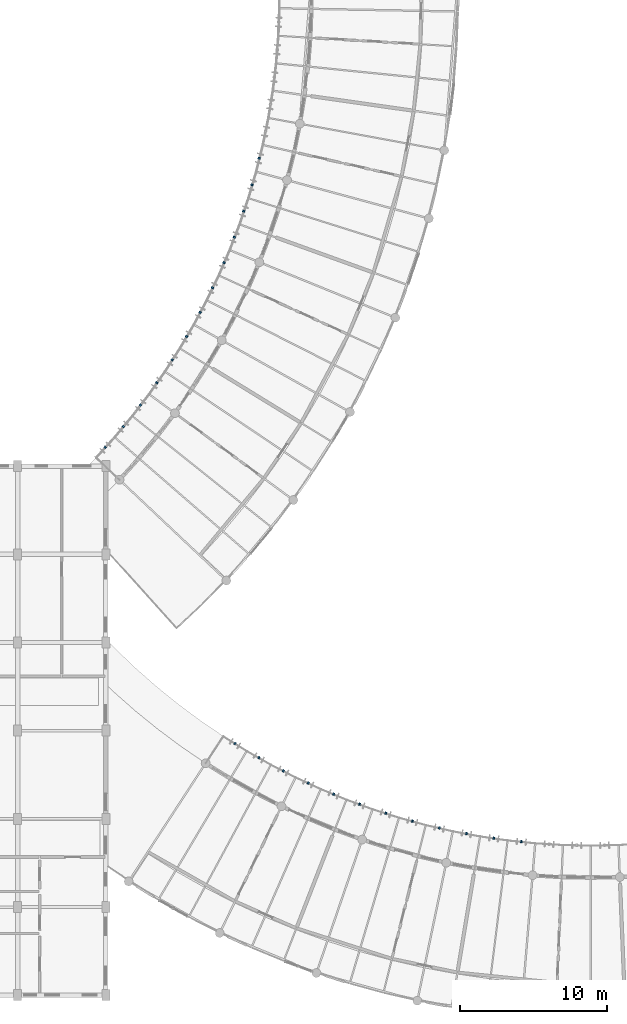
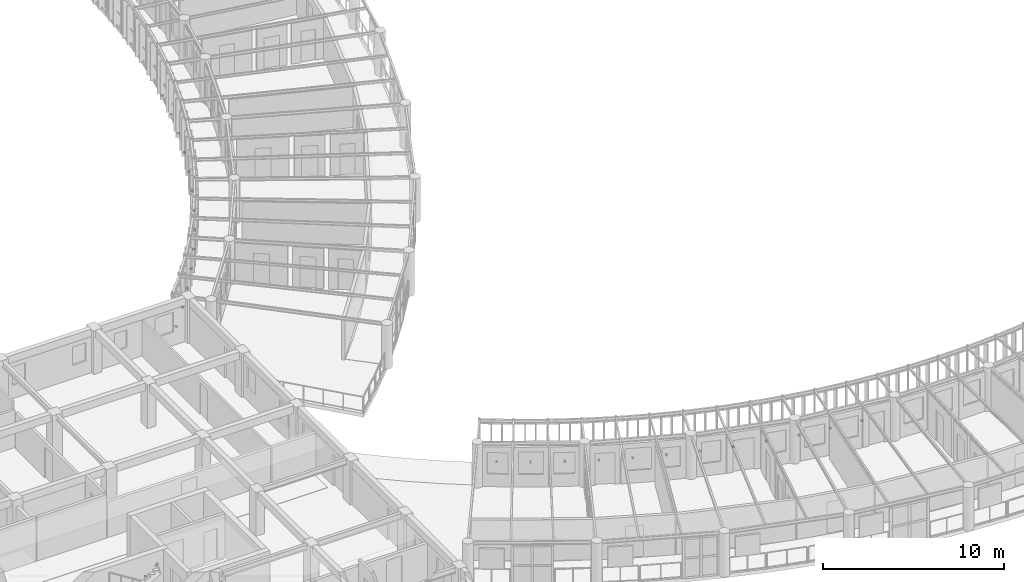
# One storey, part 83 of 100: 25 discrete accessories.
"""IFC4 building model written with IfcOpenShell, lengths in metres."""

from ifc_helpers import new_model, si_unit, direction, frame, origin, origin_2d, place, context, subcontext, project, spatial, rectangle, extrude, material, type_object, element, save


model = new_model("IFC4")

# Units and contexts
model_context = context("Model", 3, precision=1e-05, world=origin(), true_north=direction((0.0, 1.0)))
body_context = subcontext(model_context, "Body", "Model", "MODEL_VIEW")
ifc_project = project(units=[si_unit("LENGTHUNIT", "METRE"), si_unit("AREAUNIT", "SQUARE_METRE"), si_unit("VOLUMEUNIT", "CUBIC_METRE"), si_unit("PLANEANGLEUNIT", "RADIAN"), si_unit("MASSUNIT", "GRAM", prefix="KILO"), si_unit("POWERUNIT", "WATT"), si_unit("THERMODYNAMICTEMPERATUREUNIT", "KELVIN")], contexts=[model_context])

# Site, building, storey
site_placement = place(None, origin())
site = spatial("IfcSite", under=ifc_project, at=site_placement, CompositionType="ELEMENT")
building_placement = place(site_placement, origin())
building = spatial("IfcBuilding", under=site, at=building_placement, Name="Ruvembo Vaulted Housing Court", CompositionType="ELEMENT")
storey_placement = place(building_placement, frame((0.0, 0.0, 14.10009765625)))
storey = spatial("IfcBuildingStorey", under=building, at=storey_placement, Name="L04", CompositionType="ELEMENT", Elevation=14.10009765625)

# Discrete accessories
ifc_material = material(Name="Stainless Steel Grade 316", Category="steel")
discrete_accessory_type = type_object("IfcDiscreteAccessoryType", Name="ACC-BRACKET-SS", PredefinedType="BRACKET", material=ifc_material)
for number, where, z_axis, x_axis, name in (
    (1, (35.958984375, 43.282958984375, 0.02978515625), (0.0, 0.0, 1.0), (0.741601288413, -0.670840911859, 0.0), "Stainless Louvre Rail Bracket #58"),
    (2, (37.18896484375, 44.69970703125, 0.02978515625), (0.0, 0.0, 1.0), (0.768495749762, -0.63985489183, 0.0), "Stainless Louvre Rail Bracket #59"),
    (3, (38.359619140625, 46.166015625, 0.02978515625), (0.0, 0.0, 1.0), (0.794043447551, -0.607861006646, 0.0), "Stainless Louvre Rail Bracket #60"),
    (4, (39.46923828125, 47.6787109375, 0.02978515625), (0.0, 0.0, 1.0), (0.818280160918, -0.574819604962, 0.0), "Stainless Louvre Rail Bracket #61"),
    (5, (40.51611328125, 49.23583984375, 0.02978515625), (0.0, 0.0, 1.0), (0.841114539051, -0.540857034896, 0.0), "Stainless Louvre Rail Bracket #62"),
    (6, (41.498291015625, 50.83447265625, 0.02978515625), (0.0, 0.0, 1.0), (0.862619633753, -0.505853108583, 0.0), "Stainless Louvre Rail Bracket #63"),
    (7, (42.4140625, 52.471923828125, 0.02978515625), (0.0, 0.0, 1.0), (0.882586804261, -0.470149479362, 0.0), "Stainless Louvre Rail Bracket #64"),
    (8, (43.26220703125, 54.145751953125, 0.02978515625), (0.0, 0.0, 1.0), (0.901099726423, -0.433611903711, 0.0), "Stainless Louvre Rail Bracket #65"),
    (9, (44.040771484375, 55.852783203125, 0.02978515625), (0.0, 0.0, 1.0), (0.918121604514, -0.396298775325, 0.0), "Stainless Louvre Rail Bracket #66"),
    (10, (44.7490234375, 57.590087890625, 0.02978515625), (0.0, 0.0, 1.0), (0.933567916527, -0.358400537432, 0.0), "Stainless Louvre Rail Bracket #67"),
    (11, (45.385498046875, 59.355224609375, 0.02978515625), (0.0, 0.0, 1.0), (0.947472959386, -0.319835881714, 0.0), "Stainless Louvre Rail Bracket #68"),
    (12, (45.948974609375, 61.144775390625, 0.02978515625), (0.0, 0.0, 1.0), (0.959790594985, -0.280716963824, 0.0), "Stainless Louvre Rail Bracket #69"),
    (13, (46.438720703125, 62.9560546875, 0.02978515625), (0.0, 0.0, 1.0), (0.970481222826, -0.241176690711, 0.0), "Stainless Louvre Rail Bracket #70"),
    (14, (44.79638671875, 23.129150390625, 0.02978515625), (0.0, 0.0, 1.0), (-0.528556868381, -0.848897895443, 0.0), "Stainless Louvre Rail Bracket #180"),
    (15, (46.420166015625, 22.1640625, 0.02978515625), (0.0, 0.0, 1.0), (-0.493106983922, -0.86996867898, 0.0), "Stainless Louvre Rail Bracket #181"),
    (16, (48.082275390625, 21.266845703125, 0.02978515625), (0.0, 0.0, 1.0), (-0.456849537333, -0.889543984432, 0.0), "Stainless Louvre Rail Bracket #182"),
    (17, (49.780029296875, 20.438720703125, 0.02978515625), (0.0, 0.0, 1.0), (-0.419737248448, -0.90764565898, 0.0), "Stainless Louvre Rail Bracket #183"),
    (18, (51.510498046875, 19.681396484375, 0.02978515625), (0.0, 0.0, 1.0), (-0.381957701122, -0.924179806398, 0.0), "Stainless Louvre Rail Bracket #184"),
    (19, (53.2705078125, 18.99609375, 0.02978515625), (0.0, 0.0, 1.0), (-0.343512177766, -0.939148222447, 0.0), "Stainless Louvre Rail Bracket #185"),
    (20, (55.0576171875, 18.384033203125, 0.02978515625), (0.0, 0.0, 1.0), (-0.304448708958, -0.952528731122, 0.0), "Stainless Louvre Rail Bracket #186"),
    (21, (56.8681640625, 17.84619140625, 0.02978515625), (0.0, 0.0, 1.0), (-0.264983965035, -0.96425281865, 0.0), "Stainless Louvre Rail Bracket #187"),
    (22, (58.699462890625, 17.38330078125, 0.02978515625), (0.0, 0.0, 1.0), (-0.224951054344, -0.974370064785, 0.0), "Stainless Louvre Rail Bracket #188"),
    (23, (60.54833984375, 16.996337890625, 0.02978515625), (0.0, 0.0, 1.0), (-0.184568910756, -0.982819575091, 0.0), "Stainless Louvre Rail Bracket #189"),
    (24, (62.41162109375, 16.686279296875, 0.02978515625), (0.0, 0.0, 1.0), (-0.143872610257, -0.989596216655, 0.0), "Stainless Louvre Rail Bracket #190"),
    (25, (64.285888671875, 16.452880859375, 0.02978515625), (0.0, 0.0, 1.0), (-0.102948783072, -0.994686658232, 0.0), "Stainless Louvre Rail Bracket #191"),
):
    element("IfcDiscreteAccessory", number, at=place(storey_placement, frame(where, z_axis=z_axis, x_axis=x_axis)), inside=storey, type_object=discrete_accessory_type, Name=name, PredefinedType="BRACKET", context=body_context, shape_type="SweptSolid", body=[
        extrude(rectangle(XDim=0.159912109375, YDim=0.1201171875, at=origin_2d()), origin(), (0.0, 0.0, 1.0), 0.10009765625),
    ])

save(model, "model.ifc")
